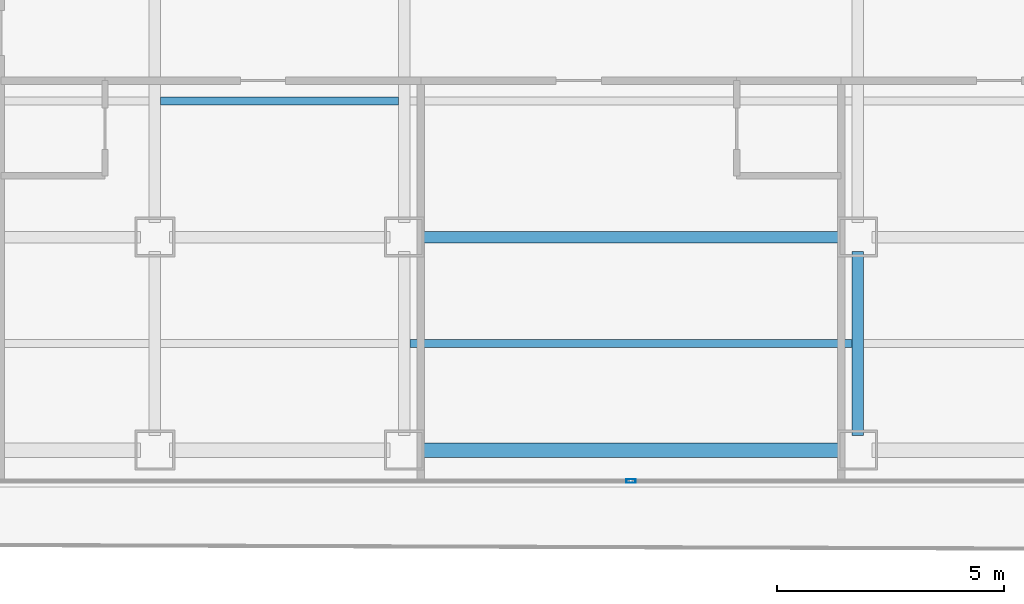
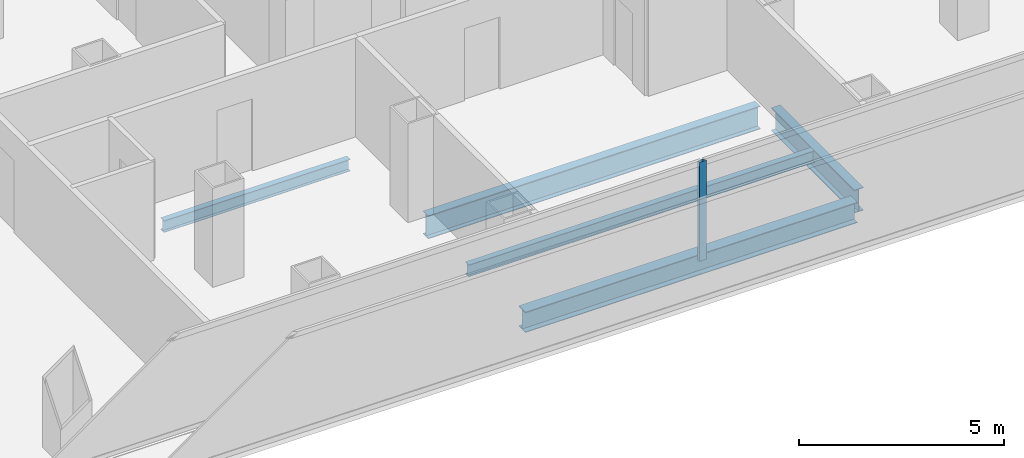
# One storey, part 4 of 21: 5 beams, 1 member, 1 element without a shape of its own.
"""IFC4 building model written with IfcOpenShell, lengths in metres."""

import ifcopenshell
import ifcopenshell.guid

model = None  # the IFC model being written
_history = None  # IfcOwnerHistory: only IFC2X3 demands one
_inside = {}  # id of a spatial element -> (the spatial element, [elements in it])
_under = {}  # id of a project, library or spatial element -> (it, [spatial elements below it])
_declared = {}  # id of a project -> (the project, [libraries it declares])
_typed = {}  # id of a type object -> (the type object, [elements of that type])
_made_of = {}  # id of a material, layer set ... -> (it, [elements and type objects made of it])


def new_model(schema):
    """Start an empty IFC model of exactly this schema.

    Asked for "IFC4X3", IfcOpenShell would pick the latest addendum, in which some entities
    have other attributes; the version numbers below select the first issue.
    IFC2X3 requires an IfcOwnerHistory on every rooted entity: one is made here for all.
    """
    global model, _history
    if schema == "IFC4X3":
        model = ifcopenshell.file(schema_version=(4, 3, 0, 0))
    else:
        model = ifcopenshell.file(schema=schema)
    _inside.clear()
    _under.clear()
    _declared.clear()
    _typed.clear()
    _made_of.clear()
    _history = None
    if model.schema == "IFC2X3":
        org = make("IfcOrganization", Name="unknown")
        user = make(
            "IfcPersonAndOrganization",
            ThePerson=make("IfcPerson", FamilyName="unknown"),
            TheOrganization=org,
        )
        app = make(
            "IfcApplication",
            ApplicationDeveloper=org,
            Version="unknown",
            ApplicationFullName="unknown",
            ApplicationIdentifier="unknown",
        )
        _history = make(
            "IfcOwnerHistory",
            OwningUser=user,
            OwningApplication=app,
            ChangeAction="ADDED",
            CreationDate=0,
        )
    return model


def make(cls, **values):
    """One entity of the class cls with the attributes given. An attribute that is None is left unset."""
    return model.create_entity(
        cls, **{name: value for name, value in values.items() if value is not None}
    )


def rooted(cls, **values):
    """An entity with a GlobalId (a new one), such as an element, a storey or a relation."""
    return make(cls, GlobalId=ifcopenshell.guid.new(), OwnerHistory=_history, **values)


def si_unit(unit_type, name, prefix=None):
    """IfcSIUnit, for example si_unit("LENGTHUNIT", "METRE", prefix="MILLI")."""
    return make("IfcSIUnit", UnitType=unit_type, Prefix=prefix, Name=name)


def assignment(units):
    """IfcUnitAssignment: the units of a project."""
    return None if units is None else make("IfcUnitAssignment", Units=units)


def point(xyz):
    """IfcCartesianPoint."""
    return None if xyz is None else make("IfcCartesianPoint", Coordinates=xyz)


def direction(xyz):
    """IfcDirection."""
    return None if xyz is None else make("IfcDirection", DirectionRatios=xyz)


def frame(location, z_axis=None, x_axis=None):
    """IfcAxis2Placement3D, a coordinate frame: its origin and axes. An axis left out is left unset."""
    return make(
        "IfcAxis2Placement3D",
        Location=point(location),
        Axis=direction(z_axis),
        RefDirection=direction(x_axis),
    )


def frame_2d(location, x_axis=None):
    """IfcAxis2Placement2D, a coordinate frame in the plane: its origin and x axis."""
    return make(
        "IfcAxis2Placement2D", Location=point(location), RefDirection=direction(x_axis)
    )


def origin():
    """The frame at (0, 0, 0) with its axes left unset."""
    return frame((0.0, 0.0, 0.0))


def origin_2d():
    """The frame at (0, 0) in the plane with its x axis left unset."""
    return frame_2d((0.0, 0.0))


def place(relative_to, where):
    """IfcLocalPlacement: puts the frame where relative to a parent placement (None: the world)."""
    return make(
        "IfcLocalPlacement", PlacementRelTo=relative_to, RelativePlacement=where
    )


def context(
    kind, dimensions, precision=None, world=None, true_north=None, identifier=None
):
    """IfcGeometricRepresentationContext, for example the 3D "Model" context."""
    return make(
        "IfcGeometricRepresentationContext",
        ContextIdentifier=identifier,
        ContextType=kind,
        CoordinateSpaceDimension=dimensions,
        Precision=precision,
        WorldCoordinateSystem=world,
        TrueNorth=true_north,
    )


def subcontext(parent, identifier, kind, view, scale=None):
    """IfcGeometricRepresentationSubContext, for example "Body" below "Model"."""
    return make(
        "IfcGeometricRepresentationSubContext",
        ContextIdentifier=identifier,
        ContextType=kind,
        ParentContext=parent,
        TargetScale=scale,
        TargetView=view,
    )


def project(units=None, contexts=None):
    """IfcProject with its units and contexts."""
    return rooted(
        "IfcProject",
        Name="project",
        RepresentationContexts=contexts,
        UnitsInContext=assignment(units),
    )


def spatial(cls, under=None, at=None, **own):
    """A site, building, storey or space (cls), placed at a placement, below another one or the project."""
    s = rooted(cls, ObjectPlacement=at, **own)
    if under is not None:
        _under.setdefault(under.id(), (under, []))[1].append(s)
    return s


def profile(cls, at=None, kind="AREA", **sizes):
    """A parametric profile (cls). Its sizes go by their IFC names, for example OverallWidth=200.0."""
    return make(cls, ProfileType=kind, Position=at, **sizes)


def hollow_rectangle(**sizes):
    """IfcRectangleHollowProfileDef."""
    return profile("IfcRectangleHollowProfileDef", **sizes)


def i_section(**sizes):
    """IfcIShapeProfileDef."""
    return profile("IfcIShapeProfileDef", **sizes)


def extrude(swept, where, along, depth):
    """IfcExtrudedAreaSolid: the profile swept, set in the frame where, extruded along a direction by depth."""
    return make(
        "IfcExtrudedAreaSolid",
        SweptArea=swept,
        Position=where,
        ExtrudedDirection=direction(along),
        Depth=depth,
    )


def shape(context_of_items, identifier, shape_type, items):
    """IfcShapeRepresentation: the items that make up one representation, for example the "Body"."""
    return make(
        "IfcShapeRepresentation",
        ContextOfItems=context_of_items,
        RepresentationIdentifier=identifier,
        RepresentationType=shape_type,
        Items=items,
    )


def source(mapping_origin, context_of_items, identifier, shape_type, items):
    """IfcRepresentationMap: a shape defined once, which mapped items show again and again."""
    return make(
        "IfcRepresentationMap",
        MappingOrigin=mapping_origin,
        MappedRepresentation=shape(context_of_items, identifier, shape_type, items),
    )


def transform(
    local_origin,
    x_axis=None,
    y_axis=None,
    z_axis=None,
    scale=None,
    scale2=None,
    scale3=None,
    uniform=True,
):
    """IfcCartesianTransformationOperator3D, or its non-uniform kind. x_axis, y_axis, z_axis: its Axis1, 2, 3."""
    if uniform:
        return make(
            "IfcCartesianTransformationOperator3D",
            Axis1=direction(x_axis),
            Axis2=direction(y_axis),
            LocalOrigin=point(local_origin),
            Scale=scale,
            Axis3=direction(z_axis),
        )
    return make(
        "IfcCartesianTransformationOperator3DnonUniform",
        Axis1=direction(x_axis),
        Axis2=direction(y_axis),
        LocalOrigin=point(local_origin),
        Scale=scale,
        Axis3=direction(z_axis),
        Scale2=scale2,
        Scale3=scale3,
    )


def mapped(mapping_source, mapping_target):
    """IfcMappedItem: shows the shape of a source again, moved by a transform."""
    return make(
        "IfcMappedItem", MappingSource=mapping_source, MappingTarget=mapping_target
    )


def material(Name=None, Category=None):
    """IfcMaterial."""
    return make("IfcMaterial", Name=Name, Category=Category)


def layer(
    of_material, thickness, ventilated=None, Name=None, Category=None, Priority=None
):
    """IfcMaterialLayer: one layer of a wall or slab, of a material (None: an air gap)."""
    return make(
        "IfcMaterialLayer",
        Material=of_material,
        LayerThickness=thickness,
        IsVentilated=ventilated,
        Name=Name,
        Category=Category,
        Priority=Priority,
    )


def layer_set(layers, Name=None):
    """IfcMaterialLayerSet."""
    return make("IfcMaterialLayerSet", MaterialLayers=layers, LayerSetName=Name)


def material_profile(
    of_material, cross_section, Name=None, Category=None, Priority=None
):
    """IfcMaterialProfile: a cross section and its material."""
    return make(
        "IfcMaterialProfile",
        Name=Name,
        Material=of_material,
        Profile=cross_section,
        Priority=Priority,
        Category=Category,
    )


def profile_set(profiles, Name=None, composite=None):
    """IfcMaterialProfileSet."""
    return make(
        "IfcMaterialProfileSet",
        Name=Name,
        MaterialProfiles=profiles,
        CompositeProfile=composite,
    )


def made_of(thing, what):
    """Note that an element or type object is made of a material, layer set ...; save() writes the relation."""
    if what is not None:
        _made_of.setdefault(what.id(), (what, []))[1].append(thing)
    return thing


def type_object(cls, material=None, **own):
    """A type object (cls), such as IfcWallType, which elements share."""
    return made_of(rooted(cls, **own), material)


def element(
    cls,
    number,
    at=None,
    inside=None,
    cuts=None,
    type_object=None,
    material=None,
    context=None,
    identifier="Body",
    shape_type=None,
    held_by="IfcProductDefinitionShape",
    body=None,
    shapes=None,
    **own,
):
    """One element of the class cls, such as IfcWall. Its Tag is "e" and its number.

    at: its placement. inside: the storey or other place that contains it. cuts: it is an
    opening in that element (IfcRelVoidsElement). A single representation is given by context,
    identifier, shape_type and body (its items); several are given by shapes. held_by: the class
    of the entity that holds the representations. save() writes the other relations.
    """
    e = rooted(cls, Tag="e%d" % number, ObjectPlacement=at, **own)
    if body is not None:
        shapes = [shape(context, identifier, shape_type, body)]
    if shapes is not None:
        e.Representation = make(held_by, Representations=shapes)
    if inside is not None:
        _inside.setdefault(inside.id(), (inside, []))[1].append(e)
    if cuts is not None:
        rooted(
            "IfcRelVoidsElement", RelatingBuildingElement=cuts, RelatedOpeningElement=e
        )
    if type_object is not None:
        _typed.setdefault(type_object.id(), (type_object, []))[1].append(e)
    return made_of(e, material)


def aggregate(whole, parts):
    """IfcRelAggregates: a whole, such as a stair, and the parts it consists of."""
    return rooted("IfcRelAggregates", RelatingObject=whole, RelatedObjects=parts)


def save(model, path):
    """Write the relations noted so far, then the file.

    IfcRelAggregates (storeys below a building ...), IfcRelContainedInSpatialStructure (elements
    in a storey), IfcRelDefinesByType, IfcRelAssociatesMaterial and IfcRelDeclares: one each for
    every whole, place, type object, material and project.
    """
    for whole, parts in _under.values():
        aggregate(whole, parts)
    for where, things in _inside.values():
        rooted(
            "IfcRelContainedInSpatialStructure",
            RelatedElements=things,
            RelatingStructure=where,
        )
    for kind, things in _typed.values():
        rooted("IfcRelDefinesByType", RelatedObjects=things, RelatingType=kind)
    for what, things in _made_of.values():
        rooted("IfcRelAssociatesMaterial", RelatedObjects=things, RelatingMaterial=what)
    for by, libraries in _declared.values():
        rooted("IfcRelDeclares", RelatingContext=by, RelatedDefinitions=libraries)
    model.write(path)


model = new_model("IFC4")

# Units and contexts
model_context = context("Model", 3, precision=1e-05, world=origin(), true_north=direction((0.0, 1.0)))
body_context = subcontext(model_context, "Body", "Model", "MODEL_VIEW")
ifc_project = project(units=[si_unit("LENGTHUNIT", "METRE"), si_unit("AREAUNIT", "SQUARE_METRE"), si_unit("VOLUMEUNIT", "CUBIC_METRE"), si_unit("PLANEANGLEUNIT", "RADIAN"), si_unit("MASSUNIT", "GRAM", prefix="KILO")], contexts=[model_context])

# Site, building, storey
site_placement = place(None, origin())
site = spatial("IfcSite", under=ifc_project, at=site_placement, CompositionType="ELEMENT")
building_placement = place(site_placement, origin())
building = spatial("IfcBuilding", under=site, at=building_placement, Name="Kolveth Station Tower", CompositionType="ELEMENT")
storey_placement = place(building_placement, frame((0.0, 0.0, 124.699951171875)))
storey = spatial("IfcBuildingStorey", under=building, at=storey_placement, Name="L34", CompositionType="ELEMENT", Elevation=124.699951171875)

# Beams
ifc_material_1 = material(Name="Steel S355", Category="steel")
ifc_material_profile_1 = material_profile(ifc_material_1, i_section(OverallWidth=0.323974609375, OverallDepth=0.611083984375, WebThickness=0.0126953125, FlangeThickness=0.01904296875, at=origin_2d()), Name="W610x155")
ifc_profile_set_1 = profile_set([ifc_material_profile_1], Name="Steel S355")
beam_type_1 = type_object("IfcBeamType", Name="Beam_SP2", PredefinedType="SPANDREL", material=ifc_profile_set_1)
shared_shape_1 = source(origin(), body_context, "Body", "SweptSolid", [
    extrude(i_section(OverallWidth=0.323974609375, OverallDepth=0.611083984375, WebThickness=0.0126953125, FlangeThickness=0.01904296875, at=origin_2d()), origin(), (0.0, 0.0, 1.0), 9.35986328125),
])
beam_1_placement = place(storey_placement, frame((18.820068359375, 0.800048828125, -0.555419921875), z_axis=(1.0, 0.0, 0.0), x_axis=(0.0, 1.0, 0.0)))
element("IfcBeam", 1, at=beam_1_placement, inside=storey, type_object=beam_type_1, Name="L34 Perimeter Spandrel BM-L34-PS-3", PredefinedType="SPANDREL", context=body_context, shape_type="MappedRepresentation", body=[
    mapped(shared_shape_1, transform((0.0, 0.0, 0.0), x_axis=(1.0, 0.0, 0.0), y_axis=(0.0, 1.0, 0.0), z_axis=(0.0, 0.0, 1.0), scale=1.0)),
])
ifc_material_profile_2 = material_profile(ifc_material_1, i_section(OverallWidth=0.25390625, OverallDepth=0.68798828125, WebThickness=0.01318359375, FlangeThickness=0.02099609375, at=origin_2d()), Name="W690x152")
ifc_profile_set_2 = profile_set([ifc_material_profile_2], Name="Steel S355")
beam_type_2 = type_object("IfcBeamType", Name="Beam_B4", PredefinedType="BEAM", material=ifc_profile_set_2)
shared_shape_2 = source(origin(), body_context, "Body", "SweptSolid", [
    extrude(i_section(OverallWidth=0.25390625, OverallDepth=0.68798828125, WebThickness=0.01318359375, FlangeThickness=0.02099609375, at=origin_2d()), origin(), (0.0, 0.0, 1.0), 9.35986328125),
])
beam_2_placement = place(storey_placement, frame((18.820068359375, 5.5, -0.593994140625), z_axis=(1.0, 0.0, 0.0), x_axis=(0.0, 1.0, 0.0)))
element("IfcBeam", 2, at=beam_2_placement, inside=storey, type_object=beam_type_2, Name="L34 Primary Girder BM-L34-GY55-4", PredefinedType="BEAM", context=body_context, shape_type="MappedRepresentation", body=[
    mapped(shared_shape_2, transform((0.0, 0.0, 0.0), x_axis=(1.0, 0.0, 0.0), y_axis=(0.0, 1.0, 0.0), z_axis=(0.0, 0.0, 1.0), scale=1.0)),
])
shared_shape_3 = source(origin(), body_context, "Body", "SweptSolid", [
    extrude(i_section(OverallWidth=0.25390625, OverallDepth=0.68798828125, WebThickness=0.01318359375, FlangeThickness=0.02099609375, at=origin_2d()), origin(), (0.0, 0.0, 1.0), 4.059814453125),
])
beam_3_placement = place(storey_placement, frame((28.5, 1.1201171875, -0.593994140625), z_axis=(0.0, 1.0, 0.0), x_axis=(-1.0, 0.0, 0.0)))
element("IfcBeam", 3, at=beam_3_placement, inside=storey, type_object=beam_type_2, Name="L34 Primary Girder BM-L34-GX285-1", PredefinedType="BEAM", context=body_context, shape_type="MappedRepresentation", body=[
    mapped(shared_shape_3, transform((0.0, 0.0, 0.0), x_axis=(1.0, 0.0, 0.0), y_axis=(0.0, 1.0, 0.0), z_axis=(0.0, 0.0, 1.0), scale=1.0)),
])
ifc_material_profile_3 = material_profile(ifc_material_1, i_section(OverallWidth=0.1708984375, OverallDepth=0.35205078125, WebThickness=0.0068359375, FlangeThickness=0.009765625, at=origin_2d()), Name="W360x44")
ifc_profile_set_3 = profile_set([ifc_material_profile_3], Name="Steel S355")
beam_type_3 = type_object("IfcBeamType", Name="Beam_J2", PredefinedType="JOIST", material=ifc_profile_set_3)
shared_shape_4 = source(origin(), body_context, "Body", "SweptSolid", [
    extrude(i_section(OverallWidth=0.1708984375, OverallDepth=0.35205078125, WebThickness=0.0068359375, FlangeThickness=0.009765625, at=origin_2d()), origin(), (0.0, 0.0, 1.0), 5.25),
])
beam_4_placement = place(storey_placement, frame((13.125, 8.5, -0.426025390625), z_axis=(1.0, 0.0, 0.0), x_axis=(0.0, 1.0, 0.0)))
element("IfcBeam", 4, at=beam_4_placement, inside=storey, type_object=beam_type_3, Name="L34 Secondary Joist JST-L34-3-2", PredefinedType="JOIST", context=body_context, shape_type="MappedRepresentation", body=[
    mapped(shared_shape_4, transform((0.0, 0.0, 0.0), x_axis=(1.0, 0.0, 0.0), y_axis=(0.0, 1.0, 0.0), z_axis=(0.0, 0.0, 1.0), scale=1.0)),
])
shared_shape_5 = source(origin(), body_context, "Body", "SweptSolid", [
    extrude(i_section(OverallWidth=0.1708984375, OverallDepth=0.35205078125, WebThickness=0.0068359375, FlangeThickness=0.009765625, at=origin_2d()), origin(), (0.0, 0.0, 1.0), 9.75),
])
beam_5_placement = place(storey_placement, frame((18.625, 3.14990234375, -0.426025390625), z_axis=(1.0, 0.0, 0.0), x_axis=(0.0, 1.0, 0.0)))
element("IfcBeam", 5, at=beam_5_placement, inside=storey, type_object=beam_type_3, Name="L34 Secondary Joist JST-L34-4-1", PredefinedType="JOIST", context=body_context, shape_type="MappedRepresentation", body=[
    mapped(shared_shape_5, transform((0.0, 0.0, 0.0), x_axis=(1.0, 0.0, 0.0), y_axis=(0.0, 1.0, 0.0), z_axis=(0.0, 0.0, 1.0), scale=1.0)),
])

# Curtain wall, member
ifc_material_2 = material(Name="Aluminium 6063-T6 and low-E dark glass", Category="aluminium")
ifc_layer = layer(ifc_material_2, 0.18994140625)
ifc_layer_set = layer_set([ifc_layer], Name="Aluminium 6063-T6 and low-E dark glass")
curtain_wall_type = type_object("IfcCurtainWallType", Name="CurtainWall_CW-Z2", PredefinedType="NOTDEFINED", material=ifc_layer_set)
curtain_wall_placement = place(storey_placement, origin())
curtain_wall = element("IfcCurtainWall", 6, at=curtain_wall_placement, inside=storey, type_object=curtain_wall_type, Name="L34 Inner Thermal Curtain Wall 12", PredefinedType="NOTDEFINED")
ifc_material_3 = material(Name="Black anodized aluminium 6063-T6", Category="aluminium")
ifc_material_profile_4 = material_profile(ifc_material_3, hollow_rectangle(XDim=0.080078125, YDim=0.199951171875, WallThickness=0.0048828125, at=origin_2d()), Name="ALU-80x200x5")
ifc_profile_set_4 = profile_set([ifc_material_profile_4], Name="Black anodized aluminium 6063-T6")
member_type = type_object("IfcMemberType", Name="Mullion_ML2", PredefinedType="MULLION", material=ifc_profile_set_4)
shared_shape_6 = source(origin(), body_context, "Body", "SweptSolid", [
    extrude(hollow_rectangle(XDim=0.080078125, YDim=0.199951171875, WallThickness=0.0048828125, at=origin_2d()), origin(), (0.0, 0.0, 1.0), 2.949951171875),
])
member_placement = place(storey_placement, frame((23.5, 0.1201171875, 0.0), z_axis=(0.0, 0.0, 1.0), x_axis=(0.0, 1.0, 0.0)))
member = element("IfcMember", 7, at=member_placement, type_object=member_type, Name="CW-Z2 mullion 2", PredefinedType="MULLION", context=body_context, shape_type="MappedRepresentation", body=[
    mapped(shared_shape_6, transform((0.0, 0.0, 0.0), x_axis=(1.0, 0.0, 0.0), y_axis=(0.0, 1.0, 0.0), z_axis=(0.0, 0.0, 1.0), scale=1.0)),
])
aggregate(curtain_wall, [member])

save(model, "model.ifc")
